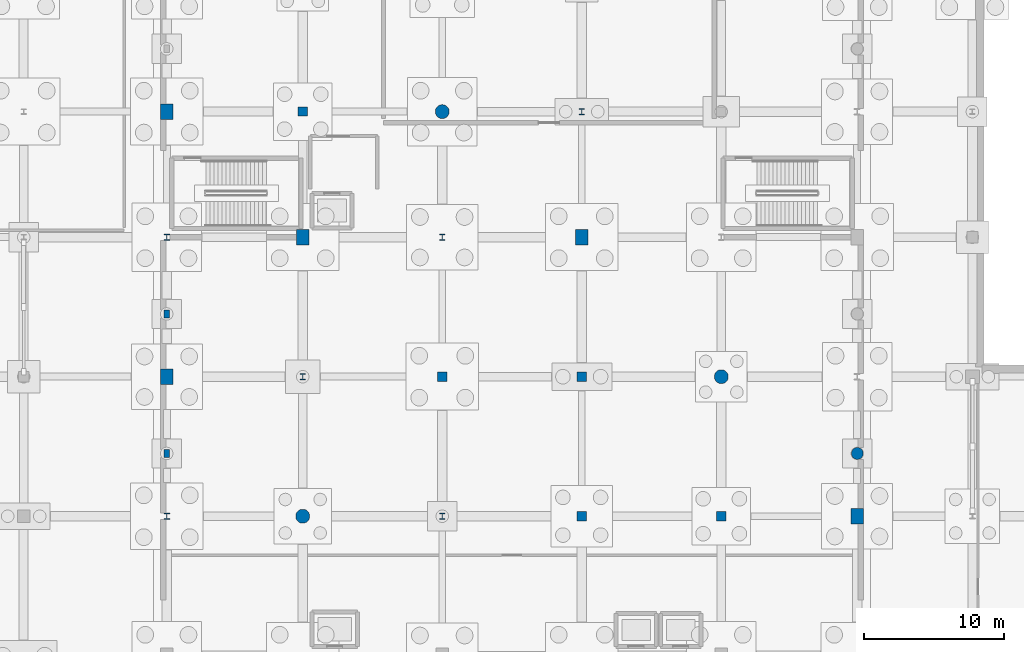
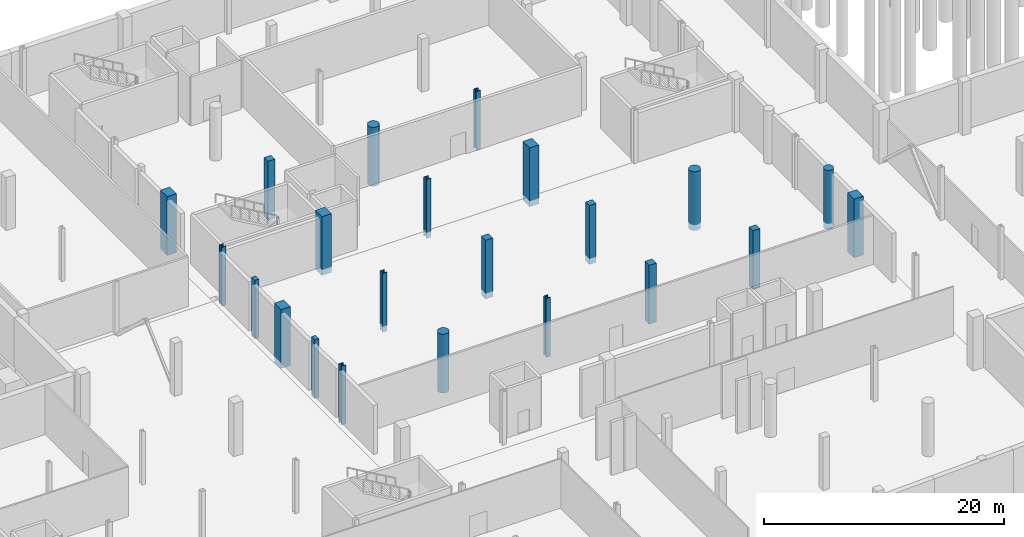
# One storey, part 28 of 60: 22 columns.
"""IFC4 building model written with IfcOpenShell, lengths in metres."""

from ifc_helpers import new_model, si_unit, direction, frame, origin, origin_2d, place, context, subcontext, project, spatial, rectangle, circle, i_section, extrude, material, material_profile, profile_set, type_object, element, save


model = new_model("IFC4")

# Units and contexts
model_context = context("Model", 3, precision=1e-05, world=origin(), true_north=direction((0.0, 1.0)))
body_context = subcontext(model_context, "Body", "Model", "MODEL_VIEW")
ifc_project = project(units=[si_unit("LENGTHUNIT", "METRE"), si_unit("AREAUNIT", "SQUARE_METRE"), si_unit("VOLUMEUNIT", "CUBIC_METRE"), si_unit("PLANEANGLEUNIT", "RADIAN"), si_unit("MASSUNIT", "GRAM", prefix="KILO")], contexts=[model_context])

# Site, building, storey
site_placement = place(None, origin())
site = spatial("IfcSite", under=ifc_project, at=site_placement, CompositionType="ELEMENT")
building_placement = place(site_placement, origin())
building = spatial("IfcBuilding", under=site, at=building_placement, Name="Trimount Lyric Opera House", CompositionType="ELEMENT")
storey_placement = place(building_placement, frame((0.0, 0.0, -5.39990234375)))
storey = spatial("IfcBuildingStorey", under=building, at=storey_placement, Name="B1", CompositionType="ELEMENT", Elevation=-5.39990234375)

# Columns
ifc_material_1 = material(Name="Steel ASTM A992 Grade 50", Category="steel")
ifc_material_profile_1 = material_profile(ifc_material_1, i_section(OverallWidth=0.422119140625, OverallDepth=0.465087890625, WebThickness=0.044921875, FlangeThickness=0.072509765625, FilletRadius=0.02001953125, at=origin_2d()), Name="W14X398")
ifc_profile_set_1 = profile_set([ifc_material_profile_1], Name="Steel ASTM A992 Grade 50")
column_type_1 = type_object("IfcColumnType", Name="C-01", PredefinedType="COLUMN", material=ifc_profile_set_1)
for number, where, z_axis, x_axis, name in (
    (1, (64.260009765625, 64.0, -0.60009765625), (0.0, 0.0, 1.0), (1.0, 0.0, 0.0), "B1 column 8/H"),
    (2, (64.260009765625, 84.0, -0.60009765625), (0.0, 0.0, 1.0), (1.0, 0.0, 0.0), "B1 column 8/K"),
    (3, (84.0, 84.0, -0.60009765625), (0.0, 0.0, 1.0), (1.0, 0.0, 0.0), "B1 column 10/K"),
):
    element("IfcColumn", number, at=place(storey_placement, frame(where, z_axis=z_axis, x_axis=x_axis)), inside=storey, type_object=column_type_1, Name=name, PredefinedType="COLUMN", context=body_context, shape_type="SweptSolid", body=[
        extrude(i_section(OverallWidth=0.422119140625, OverallDepth=0.465087890625, WebThickness=0.044921875, FlangeThickness=0.072509765625, FilletRadius=0.02001953125, at=origin_2d()), origin(), (0.0, 0.0, 1.0), 6.0),
    ])
ifc_material_2 = material(Name="Steel ASTM A992 Grade 50", Category="steel")
ifc_material_profile_2 = material_profile(ifc_material_2, i_section(OverallWidth=0.422119140625, OverallDepth=0.465087890625, WebThickness=0.044921875, FlangeThickness=0.072509765625, FilletRadius=0.02001953125, at=origin_2d()), Name="W14X398")
ifc_profile_set_2 = profile_set([ifc_material_profile_2], Name="Steel ASTM A992 Grade 50")
column_type_2 = type_object("IfcColumnType", Name="C-10", PredefinedType="COLUMN", material=ifc_profile_set_2)
for number, where, z_axis, x_axis, name in (
    (4, (74.0, 74.0, -0.60009765625), (0.0, 0.0, 1.0), (1.0, 0.0, 0.0), "B1 column 9/J"),
    (5, (84.0, 64.0, -0.60009765625), (0.0, 0.0, 1.0), (1.0, 0.0, 0.0), "B1 column 10/H"),
    (6, (94.0, 93.0, -0.60009765625), (0.0, 0.0, 1.0), (1.0, 0.0, 0.0), "B1 column 11/L"),
):
    element("IfcColumn", number, at=place(storey_placement, frame(where, z_axis=z_axis, x_axis=x_axis)), inside=storey, type_object=column_type_2, Name=name, PredefinedType="COLUMN", context=body_context, shape_type="SweptSolid", body=[
        extrude(i_section(OverallWidth=0.422119140625, OverallDepth=0.465087890625, WebThickness=0.044921875, FlangeThickness=0.072509765625, FilletRadius=0.02001953125, at=origin_2d()), origin(), (0.0, 0.0, 1.0), 6.0),
    ])
ifc_material_3 = material(Name="Concrete C50/60", Category="concrete")
ifc_material_profile_3 = material_profile(ifc_material_3, rectangle(XDim=0.89990234375, YDim=1.10009765625, at=origin_2d()), Name="RC1100X900")
ifc_profile_set_3 = profile_set([ifc_material_profile_3], Name="Concrete C50/60")
column_type_3 = type_object("IfcColumnType", Name="C-11", PredefinedType="COLUMN", material=ifc_profile_set_3)
for number, where, z_axis, x_axis, name in (
    (7, (64.260009765625, 74.0, -0.60009765625), (0.0, 0.0, 1.0), (1.0, 0.0, 0.0), "B1 column 8/J"),
    (8, (64.260009765625, 93.0, -0.60009765625), (0.0, 0.0, 1.0), (1.0, 0.0, 0.0), "B1 column 8/L"),
    (9, (74.0, 84.0, -0.60009765625), (0.0, 0.0, 1.0), (1.0, 0.0, 0.0), "B1 column 9/K"),
    (10, (94.0, 84.0, -0.60009765625), (0.0, 0.0, 1.0), (1.0, 0.0, 0.0), "B1 column 11/K"),
    (11, (113.739990234375, 64.0, -0.60009765625), (0.0, 0.0, 1.0), (1.0, 0.0, 0.0), "B1 column 13/H"),
):
    element("IfcColumn", number, at=place(storey_placement, frame(where, z_axis=z_axis, x_axis=x_axis)), inside=storey, type_object=column_type_3, Name=name, PredefinedType="COLUMN", context=body_context, shape_type="SweptSolid", body=[
        extrude(rectangle(XDim=0.89990234375, YDim=1.10009765625, at=origin_2d()), origin(), (0.0, 0.0, 1.0), 6.0),
    ])
ifc_material_4 = material(Name="Concrete C40/50", Category="concrete")
ifc_material_profile_4 = material_profile(ifc_material_4, rectangle(XDim=0.699951171875, YDim=0.699951171875, at=origin_2d()), Name="RC700X700")
ifc_profile_set_4 = profile_set([ifc_material_profile_4], Name="Concrete C40/50")
column_type_4 = type_object("IfcColumnType", Name="C-16", PredefinedType="COLUMN", material=ifc_profile_set_4)
for number, where, z_axis, x_axis, name in (
    (12, (84.0, 74.0, -0.60009765625), (0.0, 0.0, 1.0), (1.0, 0.0, 0.0), "B1 column 10/J"),
    (13, (94.0, 64.0, -0.60009765625), (0.0, 0.0, 1.0), (1.0, 0.0, 0.0), "B1 column 11/H"),
):
    element("IfcColumn", number, at=place(storey_placement, frame(where, z_axis=z_axis, x_axis=x_axis)), inside=storey, type_object=column_type_4, Name=name, PredefinedType="COLUMN", context=body_context, shape_type="SweptSolid", body=[
        extrude(rectangle(XDim=0.699951171875, YDim=0.699951171875, at=origin_2d()), origin(), (0.0, 0.0, 1.0), 6.0),
    ])
ifc_material_5 = material(Name="Concrete C40/50", Category="concrete")
ifc_material_profile_5 = material_profile(ifc_material_5, rectangle(XDim=0.64990234375, YDim=0.64990234375, at=origin_2d()), Name="RC650X650")
ifc_profile_set_5 = profile_set([ifc_material_profile_5], Name="Concrete C40/50")
column_type_5 = type_object("IfcColumnType", Name="C-17", PredefinedType="COLUMN", material=ifc_profile_set_5)
for number, where, z_axis, x_axis, name in (
    (14, (74.0, 93.0, -0.60009765625), (0.0, 0.0, 1.0), (1.0, 0.0, 0.0), "B1 column 9/L"),
    (15, (94.0, 74.0, -0.60009765625), (0.0, 0.0, 1.0), (1.0, 0.0, 0.0), "B1 column 11/J"),
    (16, (104.0, 64.0, -0.60009765625), (0.0, 0.0, 1.0), (1.0, 0.0, 0.0), "B1 column 12/H"),
):
    element("IfcColumn", number, at=place(storey_placement, frame(where, z_axis=z_axis, x_axis=x_axis)), inside=storey, type_object=column_type_5, Name=name, PredefinedType="COLUMN", context=body_context, shape_type="SweptSolid", body=[
        extrude(rectangle(XDim=0.64990234375, YDim=0.64990234375, at=origin_2d()), origin(), (0.0, 0.0, 1.0), 6.0),
    ])
ifc_material_6 = material(Name="Concrete C50/60", Category="concrete")
ifc_material_profile_6 = material_profile(ifc_material_6, circle(Radius=0.5, at=origin_2d()), Name="RC-D1000")
ifc_profile_set_6 = profile_set([ifc_material_profile_6], Name="Concrete C50/60")
column_type_6 = type_object("IfcColumnType", Name="C-18", PredefinedType="COLUMN", material=ifc_profile_set_6)
for number, where, z_axis, x_axis, name in (
    (17, (74.0, 64.0, -0.60009765625), (0.0, 0.0, 1.0), (1.0, 0.0, 0.0), "B1 column 9/H"),
    (18, (84.0, 93.0, -0.60009765625), (0.0, 0.0, 1.0), (1.0, 0.0, 0.0), "B1 column 10/L"),
    (19, (104.0, 74.0, -0.60009765625), (0.0, 0.0, 1.0), (1.0, 0.0, 0.0), "B1 column 12/J"),
):
    element("IfcColumn", number, at=place(storey_placement, frame(where, z_axis=z_axis, x_axis=x_axis)), inside=storey, type_object=column_type_6, Name=name, PredefinedType="COLUMN", context=body_context, shape_type="SweptSolid", body=[
        extrude(circle(Radius=0.5, at=origin_2d()), origin(), (0.0, 0.0, 1.0), 6.0),
    ])
ifc_material_7 = material(Name="Concrete C40/50", Category="concrete")
ifc_material_profile_7 = material_profile(ifc_material_7, rectangle(XDim=0.39990234375, YDim=0.550048828125, at=origin_2d()), Name="RC550X400")
ifc_profile_set_7 = profile_set([ifc_material_profile_7], Name="Concrete C40/50")
column_type_7 = type_object("IfcColumnType", Name="CP-01", PredefinedType="PILASTER", material=ifc_profile_set_7)
for number, where, z_axis, x_axis, name in (
    (20, (64.25, 68.5, -0.60009765625), (0.0, 0.0, 1.0), (1.0, 0.0, 0.0), "B1 acoustic shell pilaster W1"),
    (21, (64.25, 78.5, -0.60009765625), (0.0, 0.0, 1.0), (1.0, 0.0, 0.0), "B1 acoustic shell pilaster W2"),
):
    element("IfcColumn", number, at=place(storey_placement, frame(where, z_axis=z_axis, x_axis=x_axis)), inside=storey, type_object=column_type_7, Name=name, PredefinedType="PILASTER", context=body_context, shape_type="SweptSolid", body=[
        extrude(rectangle(XDim=0.39990234375, YDim=0.550048828125, at=origin_2d()), origin(), (0.0, 0.0, 1.0), 6.0),
    ])
ifc_material_8 = material(Name="Concrete C50/60", Category="concrete")
ifc_material_profile_8 = material_profile(ifc_material_8, circle(Radius=0.425048828125, at=origin_2d()), Name="RC-D850")
ifc_profile_set_8 = profile_set([ifc_material_profile_8], Name="Concrete C50/60")
column_type_8 = type_object("IfcColumnType", Name="CP-02", PredefinedType="PILASTER", material=ifc_profile_set_8)
column_placement = place(storey_placement, frame((113.75, 68.5, -0.60009765625), z_axis=(0.0, 0.0, 1.0), x_axis=(1.0, 0.0, 0.0)))
element("IfcColumn", 22, at=column_placement, inside=storey, type_object=column_type_8, Name="B1 acoustic shell pilaster E1", PredefinedType="PILASTER", context=body_context, shape_type="SweptSolid", body=[
    extrude(circle(Radius=0.425048828125, at=origin_2d()), origin(), (0.0, 0.0, 1.0), 6.0),
])

save(model, "model.ifc")
